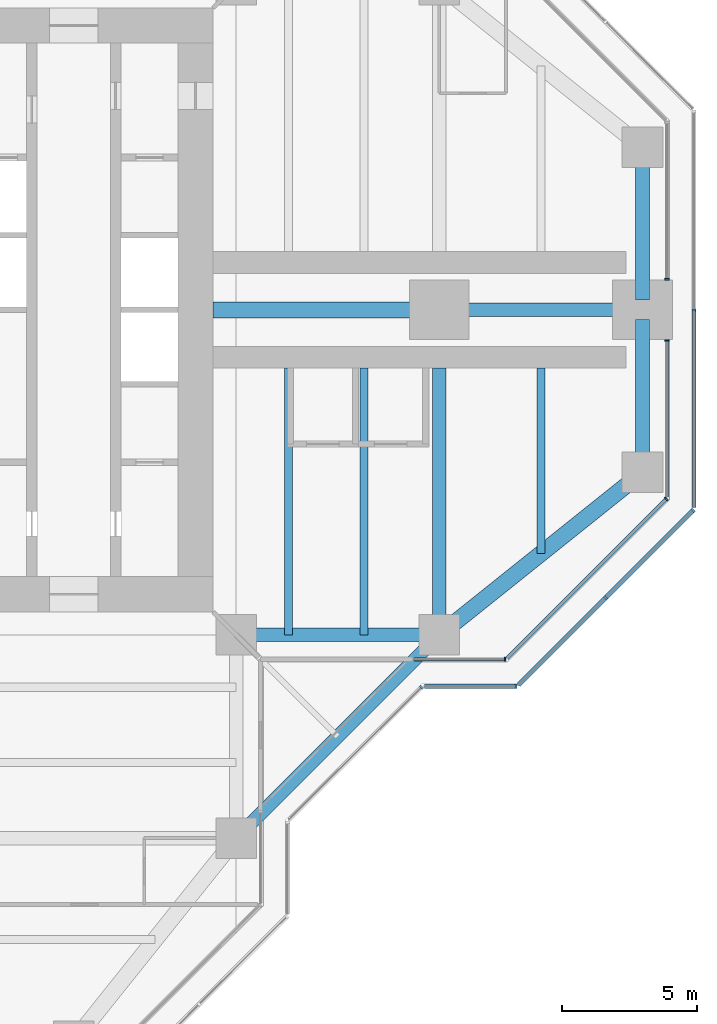
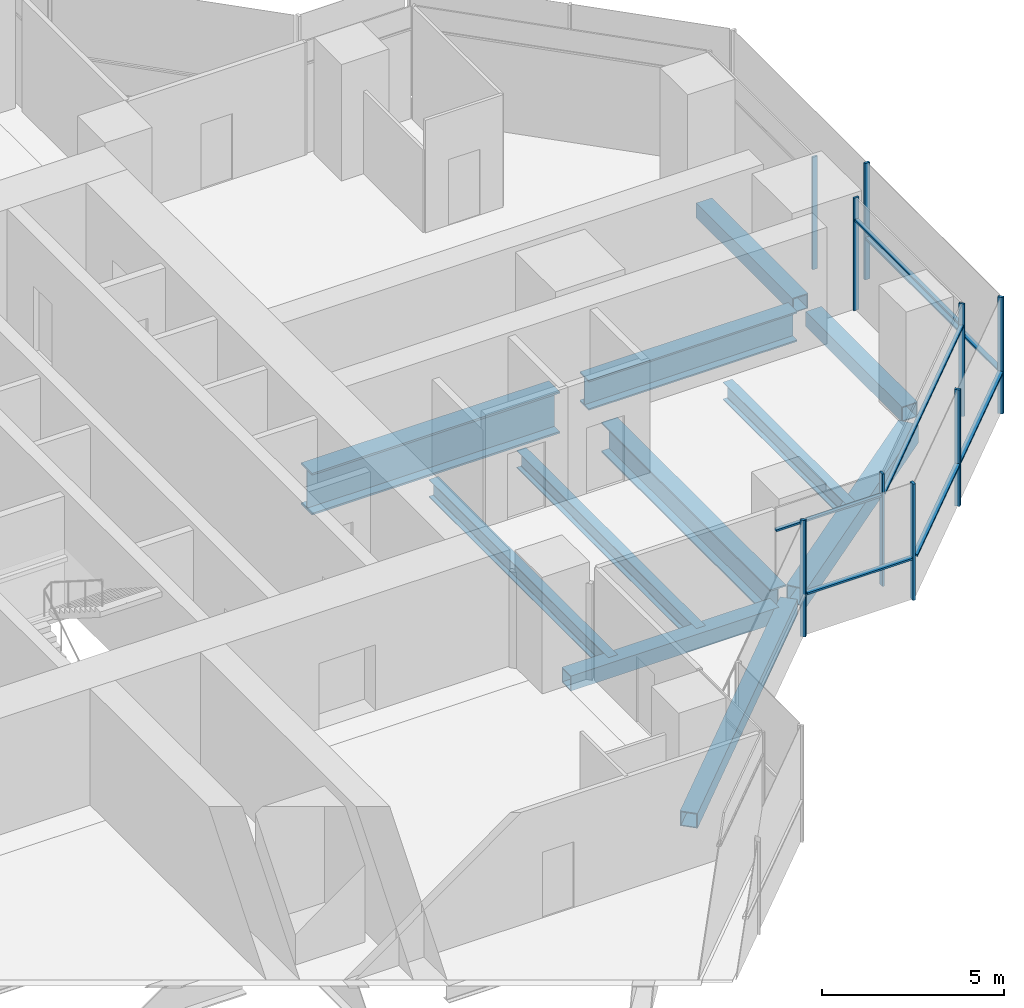
# One storey, part 5 of 17: 16 members, 11 beams, 8 elements without a shape of their own.
"""IFC4 building model written with IfcOpenShell, lengths in metres."""

from ifc_helpers import new_model, si_unit, direction, frame, origin, origin_2d, place, context, subcontext, project, spatial, rectangle, hollow_rectangle, i_section, extrude, material, material_profile, profile_set, type_object, element, aggregate, save


model = new_model("IFC4")

# Units and contexts
model_context = context("Model", 3, precision=1e-05, world=origin(), true_north=direction((0.0, 1.0)))
body_context = subcontext(model_context, "Body", "Model", "MODEL_VIEW")
ifc_project = project(units=[si_unit("LENGTHUNIT", "METRE"), si_unit("AREAUNIT", "SQUARE_METRE"), si_unit("VOLUMEUNIT", "CUBIC_METRE"), si_unit("PLANEANGLEUNIT", "RADIAN"), si_unit("MASSUNIT", "GRAM", prefix="KILO")], contexts=[model_context])

# Site, building, storey
site_placement = place(None, origin())
site = spatial("IfcSite", under=ifc_project, at=site_placement, CompositionType="ELEMENT")
building_placement = place(site_placement, origin())
building = spatial("IfcBuilding", under=site, at=building_placement, Name="Mizan Broadcast Tower", CompositionType="ELEMENT")
storey_placement = place(building_placement, frame((0.0, 0.0, 243.89990234375)))
storey = spatial("IfcBuildingStorey", under=building, at=storey_placement, Name="L57", CompositionType="ELEMENT", Elevation=243.89990234375)

# Beams
ifc_material_1 = material(Name="Steel S355", Category="steel")
ifc_material_profile_1 = material_profile(ifc_material_1, hollow_rectangle(XDim=0.5, YDim=0.5, WallThickness=0.030029296875, at=origin_2d()), Name="BOX 500x500x30")
ifc_profile_set_1 = profile_set([ifc_material_profile_1], Name="Steel S355")
beam_type_1 = type_object("IfcBeamType", Name="EDGE BEAM BOX 500x500x30", PredefinedType="SPANDREL", material=ifc_profile_set_1)
beam_1_placement = place(storey_placement, frame((12.449951171875, -12.0, -0.3798828125), z_axis=(1.0, 0.0, 0.0), x_axis=(0.0, 1.0, 0.0)))
element("IfcBeam", 1, at=beam_1_placement, inside=storey, type_object=beam_type_1, Name="Edge beam BOX 500x500x30 L57 east arm", PredefinedType="SPANDREL", context=body_context, shape_type="SweptSolid", body=[
    extrude(hollow_rectangle(XDim=0.5, YDim=0.5, WallThickness=0.030029296875, at=origin_2d()), origin(), (0.0, 0.0, 1.0), 6.60009765625),
])
for number, where, z_axis, x_axis, name in (
    (2, (27.0, -5.639892578125, -0.3798828125), (0.0, 1.0, 0.0), (-1.0, 0.0, 0.0), "Edge beam BOX 500x500x30 L57 east arm"),
    (3, (27.0, 5.639892578125, -0.3798828125), (0.0, -1.0, 0.0), (1.0, 0.0, 0.0), "Edge beam BOX 500x500x30 L57 east arm"),
):
    element("IfcBeam", number, at=place(storey_placement, frame(where, z_axis=z_axis, x_axis=x_axis)), inside=storey, type_object=beam_type_1, Name=name, PredefinedType="SPANDREL", context=body_context, shape_type="SweptSolid", body=[
        extrude(hollow_rectangle(XDim=0.5, YDim=0.5, WallThickness=0.030029296875, at=origin_2d()), origin(), (0.0, 0.0, 1.0), 5.27978515625),
    ])
beam_2_placement = place(storey_placement, frame((12.0, -19.5, -0.3798828125), z_axis=(0.707106781187, 0.707106781187, 0.0), x_axis=(-0.707106781187, 0.707106781187, 0.0)))
element("IfcBeam", 4, at=beam_2_placement, inside=storey, type_object=beam_type_1, Name="Winter garden edge beam L57 S", PredefinedType="SPANDREL", context=body_context, shape_type="SweptSolid", body=[
    extrude(hollow_rectangle(XDim=0.5, YDim=0.5, WallThickness=0.030029296875, at=origin_2d()), origin(), (0.0, 0.0, 1.0), 10.606689453125),
])
ifc_material_2 = material(Name="Steel S355", Category="steel")
ifc_material_profile_2 = material_profile(ifc_material_2, hollow_rectangle(XDim=0.60009765625, YDim=0.60009765625, WallThickness=0.030029296875, at=origin_2d()), Name="BOX 600x600x30")
ifc_profile_set_2 = profile_set([ifc_material_profile_2], Name="Steel S355")
beam_type_2 = type_object("IfcBeamType", Name="EDGE BEAM BOX 600x600x30", PredefinedType="SPANDREL", material=ifc_profile_set_2)
beam_3_placement = place(storey_placement, frame((19.949951171875, -11.639892578125, -0.429931640625), z_axis=(0.780885717636, 0.624673911726, 0.0), x_axis=(-0.624673911726, 0.780885717636, 0.0)))
element("IfcBeam", 5, at=beam_3_placement, inside=storey, type_object=beam_type_2, Name="Edge beam BOX 600x600x30 L57 east arm", PredefinedType="SPANDREL", context=body_context, shape_type="SweptSolid", body=[
    extrude(hollow_rectangle(XDim=0.60009765625, YDim=0.60009765625, WallThickness=0.030029296875, at=origin_2d()), origin(), (0.0, 0.0, 1.0), 8.4521484375),
])
ifc_material_3 = material(Name="Steel S460", Category="steel")
ifc_material_profile_3 = material_profile(ifc_material_3, i_section(OverallWidth=0.5, OverallDepth=1.0, WebThickness=0.02490234375, FlangeThickness=0.050048828125, at=origin_2d()), Name="WPG 1000x500")
ifc_profile_set_3 = profile_set([ifc_material_profile_3], Name="Steel S460")
beam_type_3 = type_object("IfcBeamType", Name="GIRDER WPG 1000x500", PredefinedType="BEAM", material=ifc_profile_set_3)
beam_4_placement = place(storey_placement, frame((19.949951171875, 0.0, -0.6298828125), z_axis=(1.0, 0.0, 0.0), x_axis=(0.0, 1.0, 0.0)))
element("IfcBeam", 6, at=beam_4_placement, inside=storey, type_object=beam_type_3, Name="Girder WPG 1000x500 L57 east arm", PredefinedType="BEAM", context=body_context, shape_type="SweptSolid", body=[
    extrude(i_section(OverallWidth=0.5, OverallDepth=1.0, WebThickness=0.02490234375, FlangeThickness=0.050048828125, at=origin_2d()), origin(), (0.0, 0.0, 1.0), 6.60009765625),
])
beam_5_placement = place(storey_placement, frame((19.5, -11.408935546875, -0.6298828125), z_axis=(0.0, 1.0, 0.0), x_axis=(-1.0, 0.0, 0.0)))
element("IfcBeam", 7, at=beam_5_placement, inside=storey, type_object=beam_type_3, Name="Girder WPG 1000x500 L57 east arm", PredefinedType="BEAM", context=body_context, shape_type="SweptSolid", body=[
    extrude(i_section(OverallWidth=0.5, OverallDepth=1.0, WebThickness=0.02490234375, FlangeThickness=0.050048828125, at=origin_2d()), origin(), (0.0, 0.0, 1.0), 9.259033203125),
])
ifc_material_4 = material(Name="Steel S460", Category="steel")
ifc_material_profile_4 = material_profile(ifc_material_4, i_section(OverallWidth=0.60009765625, OverallDepth=1.39990234375, WebThickness=0.02490234375, FlangeThickness=0.06005859375, at=origin_2d()), Name="WPG 1400x600")
ifc_profile_set_4 = profile_set([ifc_material_profile_4], Name="Steel S460")
beam_type_4 = type_object("IfcBeamType", Name="GIRDER WPG 1400x600", PredefinedType="BEAM", material=ifc_profile_set_4)
beam_6_placement = place(storey_placement, frame((11.14990234375, 0.0, -0.829833984375), z_axis=(1.0, 0.0, 0.0), x_axis=(0.0, 1.0, 0.0)))
element("IfcBeam", 8, at=beam_6_placement, inside=storey, type_object=beam_type_4, Name="Girder WPG 1400x600 L57 east arm", PredefinedType="BEAM", context=body_context, shape_type="SweptSolid", body=[
    extrude(i_section(OverallWidth=0.60009765625, OverallDepth=1.39990234375, WebThickness=0.02490234375, FlangeThickness=0.06005859375, at=origin_2d()), origin(), (0.0, 0.0, 1.0), 7.84912109375),
])

# Curtain wall, member
ifc_material_5 = material(Name="Aluminium framed glazing", Category="aluminium")
curtain_wall_type_1 = type_object("IfcCurtainWallType", Name="INNER SKIN HIGH ZONE", PredefinedType="USERDEFINED", material=ifc_material_5)
curtain_wall_1_placement = place(storey_placement, origin())
curtain_wall_1 = element("IfcCurtainWall", 9, at=curtain_wall_1_placement, inside=storey, type_object=curtain_wall_type_1, Name="Inner skin high zone L57 E side", ObjectType="INNER SKIN HIGH ZONE", PredefinedType="USERDEFINED")
ifc_material_6 = material(Name="Aluminium, pale anodised", Category="aluminium")
ifc_material_profile_5 = material_profile(ifc_material_6, rectangle(XDim=0.159912109375, YDim=0.06005859375, at=origin_2d()), Name="MULLION 160x60")
ifc_profile_set_5 = profile_set([ifc_material_profile_5], Name="Aluminium, pale anodised")
member_type_1 = type_object("IfcMemberType", Name="INNER SKIN MULLION 60x160", PredefinedType="MULLION", material=ifc_profile_set_5)
member_1_placement = place(storey_placement, frame((21.928466796875, -12.89990234375, 0.0), z_axis=(0.0, 0.0, 1.0), x_axis=(0.0, 1.0, 0.0)))
member_1 = element("IfcMember", 10, at=member_1_placement, type_object=member_type_1, Name="Inner skin high zone L57 E side mullion 2", PredefinedType="MULLION", context=body_context, shape_type="SweptSolid", body=[
    extrude(rectangle(XDim=0.159912109375, YDim=0.06005859375, at=origin_2d()), origin(), (0.0, 0.0, 1.0), 3.77001953125),
])

curtain_wall_2_placement = place(storey_placement, origin())
curtain_wall_2 = element("IfcCurtainWall", 11, at=curtain_wall_2_placement, inside=storey, type_object=curtain_wall_type_1, Name="Inner skin high zone L57 E chamfer", ObjectType="INNER SKIN HIGH ZONE", PredefinedType="USERDEFINED")
member_2_placement = place(storey_placement, frame((27.87890625, -6.979736328125, 0.0), z_axis=(0.0, 0.0, 1.0), x_axis=(-0.707106781187, 0.707106781187, 0.0)))
member_2 = element("IfcMember", 12, at=member_2_placement, type_object=member_type_1, Name="Inner skin high zone L57 E chamfer mullion 2", PredefinedType="MULLION", context=body_context, shape_type="SweptSolid", body=[
    extrude(rectangle(XDim=0.159912109375, YDim=0.06005859375, at=origin_2d()), origin(), (0.0, 0.0, 1.0), 3.77001953125),
])

curtain_wall_3_placement = place(storey_placement, origin())
curtain_wall_3 = element("IfcCurtainWall", 13, at=curtain_wall_3_placement, inside=storey, type_object=curtain_wall_type_1, Name="Inner skin high zone L57 E end", ObjectType="INNER SKIN HIGH ZONE", PredefinedType="USERDEFINED")
member_3_placement = place(storey_placement, frame((27.89990234375, -1.1298828125, 0.0), z_axis=(0.0, 0.0, 1.0), x_axis=(-1.0, 0.0, 0.0)))
member_3 = element("IfcMember", 14, at=member_3_placement, type_object=member_type_1, Name="Inner skin high zone L57 E end mullion 2", PredefinedType="MULLION", context=body_context, shape_type="SweptSolid", body=[
    extrude(rectangle(XDim=0.159912109375, YDim=0.06005859375, at=origin_2d()), origin(), (0.0, 0.0, 1.0), 3.77001953125),
])

curtain_wall_4_placement = place(storey_placement, origin())
curtain_wall_4 = element("IfcCurtainWall", 15, at=curtain_wall_4_placement, inside=storey, type_object=curtain_wall_type_1, Name="Inner skin high zone L57 E end", ObjectType="INNER SKIN HIGH ZONE", PredefinedType="USERDEFINED")
member_4_placement = place(storey_placement, frame((27.89990234375, 1.1298828125, 0.0), z_axis=(0.0, 0.0, 1.0), x_axis=(-1.0, 0.0, 0.0)))
member_4 = element("IfcMember", 16, at=member_4_placement, type_object=member_type_1, Name="Inner skin high zone L57 E end mullion 1", PredefinedType="MULLION", context=body_context, shape_type="SweptSolid", body=[
    extrude(rectangle(XDim=0.159912109375, YDim=0.06005859375, at=origin_2d()), origin(), (0.0, 0.0, 1.0), 3.77001953125),
])
aggregate(curtain_wall_4, [member_4])

# Member
ifc_material_7 = material(Name="Aluminium, pale anodised", Category="aluminium")
ifc_material_profile_6 = material_profile(ifc_material_7, rectangle(XDim=0.1201171875, YDim=0.06005859375, at=origin_2d()), Name="TRANSOM 120x60")
ifc_profile_set_6 = profile_set([ifc_material_profile_6], Name="Aluminium, pale anodised")
member_type_2 = type_object("IfcMemberType", Name="INNER SKIN TRANSOM 60x120", PredefinedType="USERDEFINED", material=ifc_profile_set_6)
member_5_placement = place(storey_placement, frame((18.56005859375, -12.89990234375, 3.030029296875), z_axis=(1.0, 0.0, 0.0), x_axis=(0.0, 1.0, 0.0)))
member_5 = element("IfcMember", 17, at=member_5_placement, type_object=member_type_2, Name="Inner skin high zone L57 E side transom 1.1", ObjectType="TRANSOM", PredefinedType="USERDEFINED", context=body_context, shape_type="SweptSolid", body=[
    extrude(rectangle(XDim=0.1201171875, YDim=0.06005859375, at=origin_2d()), origin(), (0.0, 0.0, 1.0), 3.338623046875),
])

aggregate(curtain_wall_1, [member_1, member_5])

member_6_placement = place(storey_placement, frame((22.0009765625, -12.857666015625, 3.030029296875), z_axis=(0.707106781187, 0.707106781187, 0.0), x_axis=(-0.707106781187, 0.707106781187, 0.0)))
member_6 = element("IfcMember", 18, at=member_6_placement, type_object=member_type_2, Name="Inner skin high zone L57 E chamfer transom 1.1", ObjectType="TRANSOM", PredefinedType="USERDEFINED", context=body_context, shape_type="SweptSolid", body=[
    extrude(rectangle(XDim=0.1201171875, YDim=0.06005859375, at=origin_2d()), origin(), (0.0, 0.0, 1.0), 8.28271484375),
])

aggregate(curtain_wall_2, [member_2, member_6])

member_7_placement = place(storey_placement, frame((27.89990234375, -6.898681640625, 3.030029296875), z_axis=(0.0, 1.0, 0.0), x_axis=(-1.0, 0.0, 0.0)))
member_7 = element("IfcMember", 19, at=member_7_placement, type_object=member_type_2, Name="Inner skin high zone L57 E end transom 1.1", ObjectType="TRANSOM", PredefinedType="USERDEFINED", context=body_context, shape_type="SweptSolid", body=[
    extrude(rectangle(XDim=0.1201171875, YDim=0.06005859375, at=origin_2d()), origin(), (0.0, 0.0, 1.0), 5.73876953125),
])

aggregate(curtain_wall_3, [member_3, member_7])

# Curtain wall, members
ifc_material_8 = material(Name="Aluminium framed glazing", Category="aluminium")
curtain_wall_type_2 = type_object("IfcCurtainWallType", Name="OUTER SKIN", PredefinedType="USERDEFINED", material=ifc_material_8)
curtain_wall_5_placement = place(storey_placement, origin())
curtain_wall_5 = element("IfcCurtainWall", 20, at=curtain_wall_5_placement, inside=storey, type_object=curtain_wall_type_2, Name="Outer skin L57 E chamfer", ObjectType="OUTER SKIN", PredefinedType="USERDEFINED")
ifc_material_9 = material(Name="Aluminium, pale anodised", Category="aluminium")
ifc_material_profile_7 = material_profile(ifc_material_9, rectangle(XDim=0.159912109375, YDim=0.080078125, at=origin_2d()), Name="MULLION 160x80")
ifc_profile_set_7 = profile_set([ifc_material_profile_7], Name="Aluminium, pale anodised")
member_type_3 = type_object("IfcMemberType", Name="OUTER SKIN MULLION 80x160", PredefinedType="MULLION", material=ifc_profile_set_7)
member_8_placement = place(storey_placement, frame((25.636474609375, -10.636474609375, 0.0), z_axis=(0.0, 0.0, 1.0), x_axis=(-0.707106781187, 0.707106781187, 0.0)))
member_8 = element("IfcMember", 21, at=member_8_placement, type_object=member_type_3, Name="Outer skin L57 E chamfer mullion 2", PredefinedType="MULLION", context=body_context, shape_type="SweptSolid", body=[
    extrude(rectangle(XDim=0.159912109375, YDim=0.080078125, at=origin_2d()), origin(), (0.0, 0.0, 1.0), 3.900146484375),
])
member_9_placement = place(storey_placement, frame((28.871826171875, -7.401123046875, 0.0), z_axis=(0.0, 0.0, 1.0), x_axis=(-0.707106781187, 0.707106781187, 0.0)))
member_9 = element("IfcMember", 22, at=member_9_placement, type_object=member_type_3, Name="Outer skin L57 E chamfer mullion 3", PredefinedType="MULLION", context=body_context, shape_type="SweptSolid", body=[
    extrude(rectangle(XDim=0.159912109375, YDim=0.080078125, at=origin_2d()), origin(), (0.0, 0.0, 1.0), 3.900146484375),
])

# Curtain wall, member
curtain_wall_6_placement = place(storey_placement, origin())
curtain_wall_6 = element("IfcCurtainWall", 23, at=curtain_wall_6_placement, inside=storey, type_object=curtain_wall_type_2, Name="Outer skin L57 E end", ObjectType="OUTER SKIN", PredefinedType="USERDEFINED")
member_10_placement = place(storey_placement, frame((28.89990234375, 0.0, 0.0), z_axis=(0.0, 0.0, 1.0), x_axis=(-1.0, 0.0, 0.0)))
member_10 = element("IfcMember", 24, at=member_10_placement, type_object=member_type_3, Name="Outer skin L57 E end mullion 2", PredefinedType="MULLION", context=body_context, shape_type="SweptSolid", body=[
    extrude(rectangle(XDim=0.159912109375, YDim=0.080078125, at=origin_2d()), origin(), (0.0, 0.0, 1.0), 3.900146484375),
])

curtain_wall_7_placement = place(storey_placement, origin())
curtain_wall_7 = element("IfcCurtainWall", 25, at=curtain_wall_7_placement, inside=storey, type_object=curtain_wall_type_2, Name="Outer skin L57 E chamfer", ObjectType="OUTER SKIN", PredefinedType="USERDEFINED")
member_11_placement = place(storey_placement, frame((18.844482421875, -13.92822265625, 0.0), z_axis=(0.0, 0.0, 1.0), x_axis=(-0.707106781187, 0.707106781187, 0.0)))
member_11 = element("IfcMember", 26, at=member_11_placement, type_object=member_type_3, Name="Outer skin L57 E chamfer mullion 2", PredefinedType="MULLION", context=body_context, shape_type="SweptSolid", body=[
    extrude(rectangle(XDim=0.159912109375, YDim=0.080078125, at=origin_2d()), origin(), (0.0, 0.0, 1.0), 3.900146484375),
])
aggregate(curtain_wall_7, [member_11])

curtain_wall_8_placement = place(storey_placement, origin())
curtain_wall_8 = element("IfcCurtainWall", 27, at=curtain_wall_8_placement, inside=storey, type_object=curtain_wall_type_2, Name="Outer skin L57 E side", ObjectType="OUTER SKIN", PredefinedType="USERDEFINED")
member_12_placement = place(storey_placement, frame((22.332763671875, -13.89990234375, 0.0), z_axis=(0.0, 0.0, 1.0), x_axis=(0.0, 1.0, 0.0)))
member_12 = element("IfcMember", 28, at=member_12_placement, type_object=member_type_3, Name="Outer skin L57 E side mullion 2", PredefinedType="MULLION", context=body_context, shape_type="SweptSolid", body=[
    extrude(rectangle(XDim=0.159912109375, YDim=0.080078125, at=origin_2d()), origin(), (0.0, 0.0, 1.0), 3.900146484375),
])

# Member
ifc_material_10 = material(Name="Aluminium, pale anodised", Category="aluminium")
ifc_material_profile_8 = material_profile(ifc_material_10, rectangle(XDim=0.159912109375, YDim=0.06005859375, at=origin_2d()), Name="TRANSOM 160x60")
ifc_profile_set_8 = profile_set([ifc_material_profile_8], Name="Aluminium, pale anodised")
member_type_4 = type_object("IfcMemberType", Name="OUTER SKIN TRANSOM 60x160", PredefinedType="USERDEFINED", material=ifc_profile_set_8)
member_13_placement = place(storey_placement, frame((22.429443359375, -13.843505859375, 1.400146484375), z_axis=(0.707106781187, 0.707106781187, 0.0), x_axis=(-0.707106781187, 0.707106781187, 0.0)))
member_13 = element("IfcMember", 29, at=member_13_placement, type_object=member_type_4, Name="Outer skin L57 E chamfer transom 1.1", ObjectType="TRANSOM", PredefinedType="USERDEFINED", context=body_context, shape_type="SweptSolid", body=[
    extrude(rectangle(XDim=0.159912109375, YDim=0.06005859375, at=origin_2d()), origin(), (0.0, 0.0, 1.0), 4.495361328125),
])

member_14_placement = place(storey_placement, frame((25.664794921875, -10.608154296875, 1.400146484375), z_axis=(0.707106781187, 0.707106781187, 0.0), x_axis=(-0.707106781187, 0.707106781187, 0.0)))
member_14 = element("IfcMember", 30, at=member_14_placement, type_object=member_type_4, Name="Outer skin L57 E chamfer transom 2.1", ObjectType="TRANSOM", PredefinedType="USERDEFINED", context=body_context, shape_type="SweptSolid", body=[
    extrude(rectangle(XDim=0.159912109375, YDim=0.06005859375, at=origin_2d()), origin(), (0.0, 0.0, 1.0), 4.495361328125),
])

aggregate(curtain_wall_5, [member_8, member_9, member_13, member_14])

member_15_placement = place(storey_placement, frame((28.89990234375, -7.292724609375, 1.400146484375), z_axis=(0.0, 1.0, 0.0), x_axis=(-1.0, 0.0, 0.0)))
member_15 = element("IfcMember", 31, at=member_15_placement, type_object=member_type_4, Name="Outer skin L57 E end transom 1.1", ObjectType="TRANSOM", PredefinedType="USERDEFINED", context=body_context, shape_type="SweptSolid", body=[
    extrude(rectangle(XDim=0.159912109375, YDim=0.06005859375, at=origin_2d()), origin(), (0.0, 0.0, 1.0), 7.252685546875),
])

aggregate(curtain_wall_6, [member_10, member_15])

member_16_placement = place(storey_placement, frame((18.952880859375, -13.89990234375, 1.400146484375), z_axis=(1.0, 0.0, 0.0), x_axis=(0.0, 1.0, 0.0)))
member_16 = element("IfcMember", 32, at=member_16_placement, type_object=member_type_4, Name="Outer skin L57 E side transom 1.1", ObjectType="TRANSOM", PredefinedType="USERDEFINED", context=body_context, shape_type="SweptSolid", body=[
    extrude(rectangle(XDim=0.159912109375, YDim=0.06005859375, at=origin_2d()), origin(), (0.0, 0.0, 1.0), 3.33984375),
])

aggregate(curtain_wall_8, [member_12, member_16])

# Beams
ifc_material_11 = material(Name="Steel S355", Category="steel")
ifc_material_profile_9 = material_profile(ifc_material_11, i_section(OverallWidth=0.300048828125, OverallDepth=0.590087890625, WebThickness=0.012939453125, FlangeThickness=0.02490234375, FilletRadius=0.027099609375, at=origin_2d()), Name="HEA 600")
ifc_profile_set_9 = profile_set([ifc_material_profile_9], Name="Steel S355")
beam_type_5 = type_object("IfcBeamType", Name="SECONDARY BEAM HEA 600", PredefinedType="JOIST", material=ifc_profile_set_9)
for number, where, z_axis, x_axis, name in (
    (33, (13.933349609375, -12.0, -0.4248046875), (0.0, 1.0, 0.0), (-1.0, 0.0, 0.0), "Secondary beam HEA 600 L57 east arm"),
    (34, (16.716552734375, -12.0, -0.4248046875), (0.0, 1.0, 0.0), (-1.0, 0.0, 0.0), "Secondary beam HEA 600 L57 east arm"),
):
    element("IfcBeam", number, at=place(storey_placement, frame(where, z_axis=z_axis, x_axis=x_axis)), inside=storey, type_object=beam_type_5, Name=name, PredefinedType="JOIST", context=body_context, shape_type="SweptSolid", body=[
        extrude(i_section(OverallWidth=0.300048828125, OverallDepth=0.590087890625, WebThickness=0.012939453125, FlangeThickness=0.02490234375, FilletRadius=0.027099609375, at=origin_2d()), origin(), (0.0, 0.0, 1.0), 9.85009765625),
    ])
beam_7_placement = place(storey_placement, frame((23.25, -9.0, -0.4248046875), z_axis=(0.0, 1.0, 0.0), x_axis=(-1.0, 0.0, 0.0)))
element("IfcBeam", 35, at=beam_7_placement, inside=storey, type_object=beam_type_5, Name="Secondary beam HEA 600 L57 east arm", PredefinedType="JOIST", context=body_context, shape_type="SweptSolid", body=[
    extrude(i_section(OverallWidth=0.300048828125, OverallDepth=0.590087890625, WebThickness=0.012939453125, FlangeThickness=0.02490234375, FilletRadius=0.027099609375, at=origin_2d()), origin(), (0.0, 0.0, 1.0), 6.85009765625),
])

save(model, "model.ifc")
